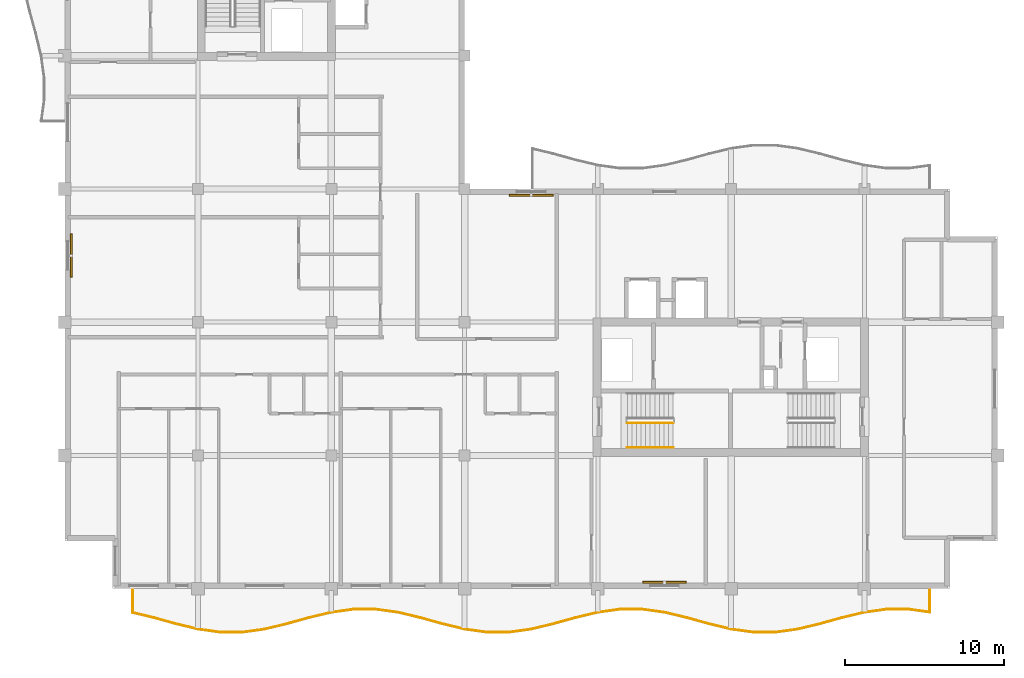
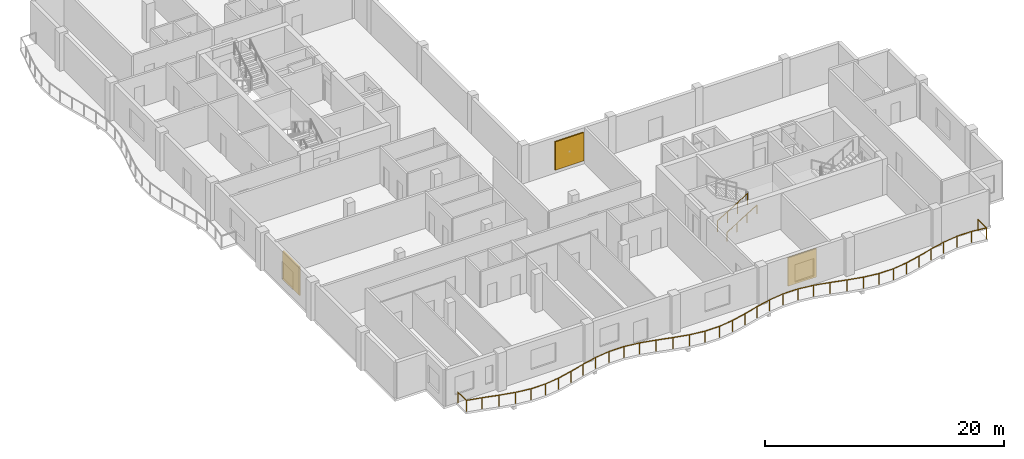
# One storey, part 10 of 12: 3 railings, 3 shading devices.
"""IFC4 building model written with IfcOpenShell, lengths in metres."""

import ifcopenshell
import ifcopenshell.guid

model = None  # the IFC model being written
_history = None  # IfcOwnerHistory: only IFC2X3 demands one
_inside = {}  # id of a spatial element -> (the spatial element, [elements in it])
_under = {}  # id of a project, library or spatial element -> (it, [spatial elements below it])
_declared = {}  # id of a project -> (the project, [libraries it declares])
_typed = {}  # id of a type object -> (the type object, [elements of that type])
_made_of = {}  # id of a material, layer set ... -> (it, [elements and type objects made of it])


def new_model(schema):
    """Start an empty IFC model of exactly this schema.

    Asked for "IFC4X3", IfcOpenShell would pick the latest addendum, in which some entities
    have other attributes; the version numbers below select the first issue.
    IFC2X3 requires an IfcOwnerHistory on every rooted entity: one is made here for all.
    """
    global model, _history
    if schema == "IFC4X3":
        model = ifcopenshell.file(schema_version=(4, 3, 0, 0))
    else:
        model = ifcopenshell.file(schema=schema)
    _inside.clear()
    _under.clear()
    _declared.clear()
    _typed.clear()
    _made_of.clear()
    _history = None
    if model.schema == "IFC2X3":
        org = make("IfcOrganization", Name="unknown")
        user = make(
            "IfcPersonAndOrganization",
            ThePerson=make("IfcPerson", FamilyName="unknown"),
            TheOrganization=org,
        )
        app = make(
            "IfcApplication",
            ApplicationDeveloper=org,
            Version="unknown",
            ApplicationFullName="unknown",
            ApplicationIdentifier="unknown",
        )
        _history = make(
            "IfcOwnerHistory",
            OwningUser=user,
            OwningApplication=app,
            ChangeAction="ADDED",
            CreationDate=0,
        )
    return model


def make(cls, **values):
    """One entity of the class cls with the attributes given. An attribute that is None is left unset."""
    return model.create_entity(
        cls, **{name: value for name, value in values.items() if value is not None}
    )


def rooted(cls, **values):
    """An entity with a GlobalId (a new one), such as an element, a storey or a relation."""
    return make(cls, GlobalId=ifcopenshell.guid.new(), OwnerHistory=_history, **values)


def si_unit(unit_type, name, prefix=None):
    """IfcSIUnit, for example si_unit("LENGTHUNIT", "METRE", prefix="MILLI")."""
    return make("IfcSIUnit", UnitType=unit_type, Prefix=prefix, Name=name)


def assignment(units):
    """IfcUnitAssignment: the units of a project."""
    return None if units is None else make("IfcUnitAssignment", Units=units)


def point(xyz):
    """IfcCartesianPoint."""
    return None if xyz is None else make("IfcCartesianPoint", Coordinates=xyz)


def direction(xyz):
    """IfcDirection."""
    return None if xyz is None else make("IfcDirection", DirectionRatios=xyz)


def frame(location, z_axis=None, x_axis=None):
    """IfcAxis2Placement3D, a coordinate frame: its origin and axes. An axis left out is left unset."""
    return make(
        "IfcAxis2Placement3D",
        Location=point(location),
        Axis=direction(z_axis),
        RefDirection=direction(x_axis),
    )


def frame_2d(location, x_axis=None):
    """IfcAxis2Placement2D, a coordinate frame in the plane: its origin and x axis."""
    return make(
        "IfcAxis2Placement2D", Location=point(location), RefDirection=direction(x_axis)
    )


def origin():
    """The frame at (0, 0, 0) with its axes left unset."""
    return frame((0.0, 0.0, 0.0))


def origin_2d():
    """The frame at (0, 0) in the plane with its x axis left unset."""
    return frame_2d((0.0, 0.0))


def place(relative_to, where):
    """IfcLocalPlacement: puts the frame where relative to a parent placement (None: the world)."""
    return make(
        "IfcLocalPlacement", PlacementRelTo=relative_to, RelativePlacement=where
    )


def context(
    kind, dimensions, precision=None, world=None, true_north=None, identifier=None
):
    """IfcGeometricRepresentationContext, for example the 3D "Model" context."""
    return make(
        "IfcGeometricRepresentationContext",
        ContextIdentifier=identifier,
        ContextType=kind,
        CoordinateSpaceDimension=dimensions,
        Precision=precision,
        WorldCoordinateSystem=world,
        TrueNorth=true_north,
    )


def subcontext(parent, identifier, kind, view, scale=None):
    """IfcGeometricRepresentationSubContext, for example "Body" below "Model"."""
    return make(
        "IfcGeometricRepresentationSubContext",
        ContextIdentifier=identifier,
        ContextType=kind,
        ParentContext=parent,
        TargetScale=scale,
        TargetView=view,
    )


def project(units=None, contexts=None):
    """IfcProject with its units and contexts."""
    return rooted(
        "IfcProject",
        Name="project",
        RepresentationContexts=contexts,
        UnitsInContext=assignment(units),
    )


def spatial(cls, under=None, at=None, **own):
    """A site, building, storey or space (cls), placed at a placement, below another one or the project."""
    s = rooted(cls, ObjectPlacement=at, **own)
    if under is not None:
        _under.setdefault(under.id(), (under, []))[1].append(s)
    return s


def profile(cls, at=None, kind="AREA", **sizes):
    """A parametric profile (cls). Its sizes go by their IFC names, for example OverallWidth=200.0."""
    return make(cls, ProfileType=kind, Position=at, **sizes)


def rectangle(**sizes):
    """IfcRectangleProfileDef."""
    return profile("IfcRectangleProfileDef", **sizes)


def circle(**sizes):
    """IfcCircleProfileDef."""
    return profile("IfcCircleProfileDef", **sizes)


def extrude(swept, where, along, depth):
    """IfcExtrudedAreaSolid: the profile swept, set in the frame where, extruded along a direction by depth."""
    return make(
        "IfcExtrudedAreaSolid",
        SweptArea=swept,
        Position=where,
        ExtrudedDirection=direction(along),
        Depth=depth,
    )


def shape(context_of_items, identifier, shape_type, items):
    """IfcShapeRepresentation: the items that make up one representation, for example the "Body"."""
    return make(
        "IfcShapeRepresentation",
        ContextOfItems=context_of_items,
        RepresentationIdentifier=identifier,
        RepresentationType=shape_type,
        Items=items,
    )


def material(Name=None, Category=None):
    """IfcMaterial."""
    return make("IfcMaterial", Name=Name, Category=Category)


def layer(
    of_material, thickness, ventilated=None, Name=None, Category=None, Priority=None
):
    """IfcMaterialLayer: one layer of a wall or slab, of a material (None: an air gap)."""
    return make(
        "IfcMaterialLayer",
        Material=of_material,
        LayerThickness=thickness,
        IsVentilated=ventilated,
        Name=Name,
        Category=Category,
        Priority=Priority,
    )


def layer_set(layers, Name=None):
    """IfcMaterialLayerSet."""
    return make("IfcMaterialLayerSet", MaterialLayers=layers, LayerSetName=Name)


def made_of(thing, what):
    """Note that an element or type object is made of a material, layer set ...; save() writes the relation."""
    if what is not None:
        _made_of.setdefault(what.id(), (what, []))[1].append(thing)
    return thing


def type_object(cls, material=None, **own):
    """A type object (cls), such as IfcWallType, which elements share."""
    return made_of(rooted(cls, **own), material)


def element(
    cls,
    number,
    at=None,
    inside=None,
    cuts=None,
    type_object=None,
    material=None,
    context=None,
    identifier="Body",
    shape_type=None,
    held_by="IfcProductDefinitionShape",
    body=None,
    shapes=None,
    **own,
):
    """One element of the class cls, such as IfcWall. Its Tag is "e" and its number.

    at: its placement. inside: the storey or other place that contains it. cuts: it is an
    opening in that element (IfcRelVoidsElement). A single representation is given by context,
    identifier, shape_type and body (its items); several are given by shapes. held_by: the class
    of the entity that holds the representations. save() writes the other relations.
    """
    e = rooted(cls, Tag="e%d" % number, ObjectPlacement=at, **own)
    if body is not None:
        shapes = [shape(context, identifier, shape_type, body)]
    if shapes is not None:
        e.Representation = make(held_by, Representations=shapes)
    if inside is not None:
        _inside.setdefault(inside.id(), (inside, []))[1].append(e)
    if cuts is not None:
        rooted(
            "IfcRelVoidsElement", RelatingBuildingElement=cuts, RelatedOpeningElement=e
        )
    if type_object is not None:
        _typed.setdefault(type_object.id(), (type_object, []))[1].append(e)
    return made_of(e, material)


def aggregate(whole, parts):
    """IfcRelAggregates: a whole, such as a stair, and the parts it consists of."""
    return rooted("IfcRelAggregates", RelatingObject=whole, RelatedObjects=parts)


def save(model, path):
    """Write the relations noted so far, then the file.

    IfcRelAggregates (storeys below a building ...), IfcRelContainedInSpatialStructure (elements
    in a storey), IfcRelDefinesByType, IfcRelAssociatesMaterial and IfcRelDeclares: one each for
    every whole, place, type object, material and project.
    """
    for whole, parts in _under.values():
        aggregate(whole, parts)
    for where, things in _inside.values():
        rooted(
            "IfcRelContainedInSpatialStructure",
            RelatedElements=things,
            RelatingStructure=where,
        )
    for kind, things in _typed.values():
        rooted("IfcRelDefinesByType", RelatedObjects=things, RelatingType=kind)
    for what, things in _made_of.values():
        rooted("IfcRelAssociatesMaterial", RelatedObjects=things, RelatingMaterial=what)
    for by, libraries in _declared.values():
        rooted("IfcRelDeclares", RelatingContext=by, RelatedDefinitions=libraries)
    model.write(path)


model = new_model("IFC4")

# Units and contexts
model_context = context("Model", 3, precision=1e-05, world=origin(), true_north=direction((0.0, 1.0)))
body_context = subcontext(model_context, "Body", "Model", "MODEL_VIEW")
ifc_project = project(units=[si_unit("LENGTHUNIT", "METRE"), si_unit("AREAUNIT", "SQUARE_METRE"), si_unit("VOLUMEUNIT", "CUBIC_METRE"), si_unit("PLANEANGLEUNIT", "RADIAN"), si_unit("MASSUNIT", "GRAM", prefix="KILO")], contexts=[model_context])

# Site, building, storey
site_placement = place(None, origin())
site = spatial("IfcSite", under=ifc_project, at=site_placement, CompositionType="ELEMENT")
building_placement = place(site_placement, origin())
building = spatial("IfcBuilding", under=site, at=building_placement, Name="Koriwani Terraces Tower", CompositionType="ELEMENT")
storey_placement = place(building_placement, frame((0.0, 0.0, 328.10009765625)))
storey = spatial("IfcBuildingStorey", under=building, at=storey_placement, Name="L81", CompositionType="ELEMENT", Elevation=328.10009765625)

# Railings
ifc_material_1 = material(Name="Steel ASTM A572 Grade 50", Category="steel")
railing_type_1 = type_object("IfcRailingType", Name="GUARD_BALUSTRADE_1150", PredefinedType="BALUSTRADE", material=ifc_material_1)
railing_1_placement = place(storey_placement, frame((12.679931640625, 8.320068359375, 0.0)))
element("IfcRailing", 1, at=railing_1_placement, inside=storey, type_object=railing_type_1, Name="L81 Balcony Perimeter Safety Balustrade (S)", PredefinedType="BALUSTRADE", context=body_context, shape_type="SweptSolid", body=[
    extrude(circle(Radius=0.02392578125, at=origin_2d()), frame((0.0, 0.0, 1.1259765625), z_axis=(0.0, -1.0, 0.0), x_axis=(1.0, 0.0, 0.0)), (0.0, 0.0, 1.0), 1.4267578125),
    extrude(circle(Radius=0.02392578125, at=origin_2d()), frame((0.0, -1.4267578125, 1.1259765625), z_axis=(0.972361568172, -0.233480150638, 0.0), x_axis=(0.233480150638, 0.972361568172, 0.0)), (0.0, 0.0, 1.0), 1.378173828125),
    extrude(circle(Radius=0.02392578125, at=origin_2d()), frame((1.340087890625, -1.74853515625, 1.1259765625), z_axis=(0.963638196753, -0.267210452187, 0.0), x_axis=(0.267210452187, 0.963638196753, 0.0)), (0.0, 0.0, 1.0), 1.45263671875),
    extrude(circle(Radius=0.02392578125, at=origin_2d()), frame((2.739990234375, -2.13671875, 1.1259765625), z_axis=(0.972362581689, -0.23347592966, 0.0), x_axis=(0.23347592966, 0.972362581689, 0.0)), (0.0, 0.0, 1.0), 1.4345703125),
    extrude(circle(Radius=0.02392578125, at=origin_2d()), frame((4.135009765625, -2.4716796875, 1.1259765625), z_axis=(0.990518583157, -0.137378806302, 0.0), x_axis=(0.137378806302, 0.990518583157, 0.0)), (0.0, 0.0, 1.0), 1.404052734375),
    extrude(circle(Radius=0.02392578125, at=origin_2d()), frame((5.525634765625, -2.66455078125, 1.1259765625), z_axis=(1.0, 0.0, 0.0), x_axis=(0.0, 1.0, 0.0)), (0.0, 0.0, 1.0), 1.388916015625),
    extrude(circle(Radius=0.02392578125, at=origin_2d()), frame((6.91455078125, -2.66455078125, 1.1259765625), z_axis=(0.990518583157, 0.137378806302, 0.0), x_axis=(-0.137378806302, 0.990518583157, 0.0)), (0.0, 0.0, 1.0), 1.404052734375),
    extrude(circle(Radius=0.02392578125, at=origin_2d()), frame((8.30517578125, -2.4716796875, 1.1259765625), z_axis=(0.972353303141, 0.233514568862, 0.0), x_axis=(-0.233514568862, 0.972353303141, 0.0)), (0.0, 0.0, 1.0), 1.434326171875),
    extrude(circle(Radius=0.02392578125, at=origin_2d()), frame((9.699951171875, -2.13671875, 1.1259765625), z_axis=(0.963650193341, 0.26716718525, 0.0), x_axis=(-0.26716718525, 0.963650193341, 0.0)), (0.0, 0.0, 1.0), 1.452880859375),
    extrude(circle(Radius=0.02392578125, at=origin_2d()), frame((11.10009765625, -1.74853515625, 1.1259765625), z_axis=(0.972404167631, 0.233302667738, 0.0), x_axis=(-0.233302667738, 0.972404167631, 0.0)), (0.0, 0.0, 1.0), 1.445068359375),
    extrude(circle(Radius=0.02392578125, at=origin_2d()), frame((12.50537109375, -1.411376953125, 1.1259765625), z_axis=(0.990531206111, 0.137287762455, 0.0), x_axis=(-0.137287762455, 0.990531206111, 0.0)), (0.0, 0.0, 1.0), 1.422607421875),
    extrude(circle(Radius=0.02392578125, at=origin_2d()), frame((13.91455078125, -1.216064453125, 1.1259765625), z_axis=(1.0, 0.0, 0.0), x_axis=(0.0, 1.0, 0.0)), (0.0, 0.0, 1.0), 1.4111328125),
    extrude(circle(Radius=0.02392578125, at=origin_2d()), frame((15.32568359375, -1.216064453125, 1.1259765625), z_axis=(0.990531206111, -0.137287762455, 0.0), x_axis=(0.137287762455, 0.990531206111, 0.0)), (0.0, 0.0, 1.0), 1.422607421875),
    extrude(circle(Radius=0.02392578125, at=origin_2d()), frame((16.73486328125, -1.411376953125, 1.1259765625), z_axis=(0.972404167631, -0.233302667738, 0.0), x_axis=(0.233302667738, 0.972404167631, 0.0)), (0.0, 0.0, 1.0), 1.445068359375),
    extrude(circle(Radius=0.02392578125, at=origin_2d()), frame((18.14013671875, -1.74853515625, 1.1259765625), z_axis=(0.963638196753, -0.267210452187, 0.0), x_axis=(0.267210452187, 0.963638196753, 0.0)), (0.0, 0.0, 1.0), 1.45263671875),
    extrude(circle(Radius=0.02392578125, at=origin_2d()), frame((19.5400390625, -2.13671875, 1.1259765625), z_axis=(0.972362581689, -0.23347592966, 0.0), x_axis=(0.23347592966, 0.972362581689, 0.0)), (0.0, 0.0, 1.0), 1.4345703125),
    extrude(circle(Radius=0.02392578125, at=origin_2d()), frame((20.93505859375, -2.4716796875, 1.1259765625), z_axis=(0.990518583157, -0.137378806302, 0.0), x_axis=(0.137378806302, 0.990518583157, 0.0)), (0.0, 0.0, 1.0), 1.404052734375),
    extrude(circle(Radius=0.02392578125, at=origin_2d()), frame((22.32568359375, -2.66455078125, 1.1259765625), z_axis=(1.0, 0.0, 0.0), x_axis=(0.0, 1.0, 0.0)), (0.0, 0.0, 1.0), 1.388916015625),
    extrude(circle(Radius=0.02392578125, at=origin_2d()), frame((23.714599609375, -2.66455078125, 1.1259765625), z_axis=(0.990518583157, 0.137378806302, 0.0), x_axis=(-0.137378806302, 0.990518583157, 0.0)), (0.0, 0.0, 1.0), 1.404052734375),
    extrude(circle(Radius=0.02392578125, at=origin_2d()), frame((25.105224609375, -2.4716796875, 1.1259765625), z_axis=(0.972353303141, 0.233514568862, 0.0), x_axis=(-0.233514568862, 0.972353303141, 0.0)), (0.0, 0.0, 1.0), 1.434326171875),
    extrude(circle(Radius=0.02392578125, at=origin_2d()), frame((26.5, -2.13671875, 1.1259765625), z_axis=(0.963650193341, 0.26716718525, 0.0), x_axis=(-0.26716718525, 0.963650193341, 0.0)), (0.0, 0.0, 1.0), 1.452880859375),
    extrude(circle(Radius=0.02392578125, at=origin_2d()), frame((27.900146484375, -1.74853515625, 1.1259765625), z_axis=(0.972394970075, 0.233340999769, 0.0), x_axis=(-0.233340999769, 0.972394970075, 0.0)), (0.0, 0.0, 1.0), 1.44482421875),
    extrude(circle(Radius=0.02392578125, at=origin_2d()), frame((29.30517578125, -1.411376953125, 1.1259765625), z_axis=(0.990534439774, 0.137264429555, 0.0), x_axis=(-0.137264429555, 0.990534439774, 0.0)), (0.0, 0.0, 1.0), 1.4228515625),
    extrude(circle(Radius=0.02392578125, at=origin_2d()), frame((30.714599609375, -1.216064453125, 1.1259765625), z_axis=(1.0, 0.0, 0.0), x_axis=(0.0, 1.0, 0.0)), (0.0, 0.0, 1.0), 1.410888671875),
    extrude(circle(Radius=0.02392578125, at=origin_2d()), frame((32.12548828125, -1.216064453125, 1.1259765625), z_axis=(0.990534439774, -0.137264429555, 0.0), x_axis=(0.137264429555, 0.990534439774, 0.0)), (0.0, 0.0, 1.0), 1.4228515625),
    extrude(circle(Radius=0.02392578125, at=origin_2d()), frame((33.534912109375, -1.411376953125, 1.1259765625), z_axis=(0.972404167631, -0.233302667738, 0.0), x_axis=(0.233302667738, 0.972404167631, 0.0)), (0.0, 0.0, 1.0), 1.445068359375),
    extrude(circle(Radius=0.02392578125, at=origin_2d()), frame((34.940185546875, -1.74853515625, 1.1259765625), z_axis=(0.963638196753, -0.267210452187, 0.0), x_axis=(0.267210452187, 0.963638196753, 0.0)), (0.0, 0.0, 1.0), 1.45263671875),
    extrude(circle(Radius=0.02392578125, at=origin_2d()), frame((36.340087890625, -2.13671875, 1.1259765625), z_axis=(0.972353303141, -0.233514568862, 0.0), x_axis=(0.233514568862, 0.972353303141, 0.0)), (0.0, 0.0, 1.0), 1.434326171875),
    extrude(circle(Radius=0.02392578125, at=origin_2d()), frame((37.73486328125, -2.4716796875, 1.1259765625), z_axis=(0.990518583157, -0.137378806302, 0.0), x_axis=(0.137378806302, 0.990518583157, 0.0)), (0.0, 0.0, 1.0), 1.404052734375),
    extrude(circle(Radius=0.02392578125, at=origin_2d()), frame((39.12548828125, -2.66455078125, 1.1259765625), z_axis=(1.0, 0.0, 0.0), x_axis=(0.0, 1.0, 0.0)), (0.0, 0.0, 1.0), 1.38916015625),
    extrude(circle(Radius=0.02392578125, at=origin_2d()), frame((40.5146484375, -2.66455078125, 1.1259765625), z_axis=(0.990518583157, 0.137378806302, 0.0), x_axis=(-0.137378806302, 0.990518583157, 0.0)), (0.0, 0.0, 1.0), 1.404052734375),
    extrude(circle(Radius=0.02392578125, at=origin_2d()), frame((41.9052734375, -2.4716796875, 1.1259765625), z_axis=(0.972353303141, 0.233514568862, 0.0), x_axis=(-0.233514568862, 0.972353303141, 0.0)), (0.0, 0.0, 1.0), 1.434326171875),
    extrude(circle(Radius=0.02392578125, at=origin_2d()), frame((43.300048828125, -2.13671875, 1.1259765625), z_axis=(0.963638196753, 0.267210452187, 0.0), x_axis=(-0.267210452187, 0.963638196753, 0.0)), (0.0, 0.0, 1.0), 1.45263671875),
    extrude(circle(Radius=0.02392578125, at=origin_2d()), frame((44.699951171875, -1.74853515625, 1.1259765625), z_axis=(0.972404167631, 0.233302667738, 0.0), x_axis=(-0.233302667738, 0.972404167631, 0.0)), (0.0, 0.0, 1.0), 1.445068359375),
    extrude(circle(Radius=0.02392578125, at=origin_2d()), frame((46.105224609375, -1.411376953125, 1.1259765625), z_axis=(0.990534439774, 0.137264429555, 0.0), x_axis=(-0.137264429555, 0.990534439774, 0.0)), (0.0, 0.0, 1.0), 1.4228515625),
    extrude(circle(Radius=0.02392578125, at=origin_2d()), frame((47.5146484375, -1.216064453125, 1.1259765625), z_axis=(1.0, 0.0, 0.0), x_axis=(0.0, 1.0, 0.0)), (0.0, 0.0, 1.0), 1.410888671875),
    extrude(circle(Radius=0.02392578125, at=origin_2d()), frame((48.925537109375, -1.216064453125, 1.1259765625), z_axis=(0.99056178386, -0.137066963034, 0.0), x_axis=(0.137066963034, 0.99056178386, 0.0)), (0.0, 0.0, 1.0), 1.326904296875),
    extrude(circle(Radius=0.02392578125, at=origin_2d()), frame((50.239990234375, -1.39794921875, 1.1259765625), z_axis=(0.0, 1.0, 0.0), x_axis=(-1.0, 0.0, 0.0)), (0.0, 0.0, 1.0), 1.39794921875),
    extrude(circle(Radius=0.02099609375, at=origin_2d()), origin(), (0.0, 0.0, 1.0), 1.101806640625),
    extrude(circle(Radius=0.02099609375, at=origin_2d()), frame((0.0, -1.4267578125, 0.0)), (0.0, 0.0, 1.0), 1.101806640625),
    extrude(circle(Radius=0.02099609375, at=origin_2d()), frame((1.340087890625, -1.74853515625, 0.0)), (0.0, 0.0, 1.0), 1.101806640625),
    extrude(circle(Radius=0.02099609375, at=origin_2d()), frame((2.739990234375, -2.13671875, 0.0)), (0.0, 0.0, 1.0), 1.101806640625),
    extrude(circle(Radius=0.02099609375, at=origin_2d()), frame((4.135009765625, -2.4716796875, 0.0)), (0.0, 0.0, 1.0), 1.101806640625),
    extrude(circle(Radius=0.02099609375, at=origin_2d()), frame((5.525634765625, -2.66455078125, 0.0)), (0.0, 0.0, 1.0), 1.101806640625),
    extrude(circle(Radius=0.02099609375, at=origin_2d()), frame((6.91455078125, -2.66455078125, 0.0)), (0.0, 0.0, 1.0), 1.101806640625),
    extrude(circle(Radius=0.02099609375, at=origin_2d()), frame((8.30517578125, -2.4716796875, 0.0)), (0.0, 0.0, 1.0), 1.101806640625),
    extrude(circle(Radius=0.02099609375, at=origin_2d()), frame((9.699951171875, -2.13671875, 0.0)), (0.0, 0.0, 1.0), 1.101806640625),
    extrude(circle(Radius=0.02099609375, at=origin_2d()), frame((11.10009765625, -1.74853515625, 0.0)), (0.0, 0.0, 1.0), 1.101806640625),
    extrude(circle(Radius=0.02099609375, at=origin_2d()), frame((12.50537109375, -1.411376953125, 0.0)), (0.0, 0.0, 1.0), 1.101806640625),
    extrude(circle(Radius=0.02099609375, at=origin_2d()), frame((13.91455078125, -1.216064453125, 0.0)), (0.0, 0.0, 1.0), 1.101806640625),
    extrude(circle(Radius=0.02099609375, at=origin_2d()), frame((15.32568359375, -1.216064453125, 0.0)), (0.0, 0.0, 1.0), 1.101806640625),
    extrude(circle(Radius=0.02099609375, at=origin_2d()), frame((16.73486328125, -1.411376953125, 0.0)), (0.0, 0.0, 1.0), 1.101806640625),
    extrude(circle(Radius=0.02099609375, at=origin_2d()), frame((18.14013671875, -1.74853515625, 0.0)), (0.0, 0.0, 1.0), 1.101806640625),
    extrude(circle(Radius=0.02099609375, at=origin_2d()), frame((19.5400390625, -2.13671875, 0.0)), (0.0, 0.0, 1.0), 1.101806640625),
    extrude(circle(Radius=0.02099609375, at=origin_2d()), frame((20.93505859375, -2.4716796875, 0.0)), (0.0, 0.0, 1.0), 1.101806640625),
    extrude(circle(Radius=0.02099609375, at=origin_2d()), frame((22.32568359375, -2.66455078125, 0.0)), (0.0, 0.0, 1.0), 1.101806640625),
    extrude(circle(Radius=0.02099609375, at=origin_2d()), frame((23.714599609375, -2.66455078125, 0.0)), (0.0, 0.0, 1.0), 1.101806640625),
    extrude(circle(Radius=0.02099609375, at=origin_2d()), frame((25.105224609375, -2.4716796875, 0.0)), (0.0, 0.0, 1.0), 1.101806640625),
    extrude(circle(Radius=0.02099609375, at=origin_2d()), frame((26.5, -2.13671875, 0.0)), (0.0, 0.0, 1.0), 1.101806640625),
    extrude(circle(Radius=0.02099609375, at=origin_2d()), frame((27.900146484375, -1.74853515625, 0.0)), (0.0, 0.0, 1.0), 1.101806640625),
    extrude(circle(Radius=0.02099609375, at=origin_2d()), frame((29.30517578125, -1.411376953125, 0.0)), (0.0, 0.0, 1.0), 1.101806640625),
    extrude(circle(Radius=0.02099609375, at=origin_2d()), frame((30.714599609375, -1.216064453125, 0.0)), (0.0, 0.0, 1.0), 1.101806640625),
    extrude(circle(Radius=0.02099609375, at=origin_2d()), frame((32.12548828125, -1.216064453125, 0.0)), (0.0, 0.0, 1.0), 1.101806640625),
    extrude(circle(Radius=0.02099609375, at=origin_2d()), frame((33.534912109375, -1.411376953125, 0.0)), (0.0, 0.0, 1.0), 1.101806640625),
    extrude(circle(Radius=0.02099609375, at=origin_2d()), frame((34.940185546875, -1.74853515625, 0.0)), (0.0, 0.0, 1.0), 1.101806640625),
    extrude(circle(Radius=0.02099609375, at=origin_2d()), frame((36.340087890625, -2.13671875, 0.0)), (0.0, 0.0, 1.0), 1.101806640625),
    extrude(circle(Radius=0.02099609375, at=origin_2d()), frame((37.73486328125, -2.4716796875, 0.0)), (0.0, 0.0, 1.0), 1.101806640625),
    extrude(circle(Radius=0.02099609375, at=origin_2d()), frame((39.12548828125, -2.66455078125, 0.0)), (0.0, 0.0, 1.0), 1.101806640625),
    extrude(circle(Radius=0.02099609375, at=origin_2d()), frame((40.5146484375, -2.66455078125, 0.0)), (0.0, 0.0, 1.0), 1.101806640625),
    extrude(circle(Radius=0.02099609375, at=origin_2d()), frame((41.9052734375, -2.4716796875, 0.0)), (0.0, 0.0, 1.0), 1.101806640625),
    extrude(circle(Radius=0.02099609375, at=origin_2d()), frame((43.300048828125, -2.13671875, 0.0)), (0.0, 0.0, 1.0), 1.101806640625),
    extrude(circle(Radius=0.02099609375, at=origin_2d()), frame((44.699951171875, -1.74853515625, 0.0)), (0.0, 0.0, 1.0), 1.101806640625),
    extrude(circle(Radius=0.02099609375, at=origin_2d()), frame((46.105224609375, -1.411376953125, 0.0)), (0.0, 0.0, 1.0), 1.101806640625),
    extrude(circle(Radius=0.02099609375, at=origin_2d()), frame((47.5146484375, -1.216064453125, 0.0)), (0.0, 0.0, 1.0), 1.101806640625),
    extrude(circle(Radius=0.02099609375, at=origin_2d()), frame((48.925537109375, -1.216064453125, 0.0)), (0.0, 0.0, 1.0), 1.101806640625),
    extrude(circle(Radius=0.02099609375, at=origin_2d()), frame((50.239990234375, -1.39794921875, 0.0)), (0.0, 0.0, 1.0), 1.101806640625),
    extrude(circle(Radius=0.02099609375, at=origin_2d()), frame((50.239990234375, 0.0, 0.0)), (0.0, 0.0, 1.0), 1.101806640625),
])
railing_type_2 = type_object("IfcRailingType", Name="GUARD_STAIR_WELL_1120", PredefinedType="GUARDRAIL", material=ifc_material_1)
railing_2_placement = place(storey_placement, frame((43.85009765625, 18.85009765625, 0.17724609375)))
element("IfcRailing", 2, at=railing_2_placement, inside=storey, type_object=railing_type_2, Name="L81 ST-E1 stair guard 1", PredefinedType="GUARDRAIL", context=body_context, shape_type="SweptSolid", body=[
    extrude(circle(Radius=0.02392578125, at=origin_2d()), frame((0.0, 0.0, 1.1259765625), z_axis=(0.853210801645, 0.0, 0.521566225858), x_axis=(0.0, 1.0, 0.0)), (0.0, 0.0, 1.0), 3.39892578125),
    extrude(circle(Radius=0.02099609375, at=origin_2d()), origin(), (0.0, 0.0, 1.0), 1.101806640625),
    extrude(circle(Radius=0.02099609375, at=origin_2d()), frame((0.966552734375, 0.0, 0.5908203125)), (0.0, 0.0, 1.0), 1.101806640625),
    extrude(circle(Radius=0.02099609375, at=origin_2d()), frame((1.933349609375, 0.0, 1.181884765625)), (0.0, 0.0, 1.0), 1.101806640625),
    extrude(circle(Radius=0.02099609375, at=origin_2d()), frame((2.89990234375, 0.0, 1.772705078125)), (0.0, 0.0, 1.0), 1.101806640625),
])
railing_type_3 = type_object("IfcRailingType", Name="HANDRAIL_STAIR_920", PredefinedType="HANDRAIL", material=ifc_material_1)
railing_3_placement = place(storey_placement, frame((43.85009765625, 17.300048828125, 0.17724609375)))
element("IfcRailing", 3, at=railing_3_placement, inside=storey, type_object=railing_type_3, Name="L81 ST-E1 stair handrail 1", PredefinedType="HANDRAIL", context=body_context, shape_type="SweptSolid", body=[
    extrude(circle(Radius=0.02392578125, at=origin_2d()), frame((0.0, 0.0, 0.8759765625), z_axis=(0.853210801645, 0.0, 0.521566225858), x_axis=(0.0, 1.0, 0.0)), (0.0, 0.0, 1.0), 3.39892578125),
    extrude(circle(Radius=0.02099609375, at=origin_2d()), origin(), (0.0, 0.0, 1.0), 0.851806640625),
    extrude(circle(Radius=0.02099609375, at=origin_2d()), frame((0.966552734375, 0.0, 0.5908203125)), (0.0, 0.0, 1.0), 0.851806640625),
    extrude(circle(Radius=0.02099609375, at=origin_2d()), frame((1.933349609375, 0.0, 1.181884765625)), (0.0, 0.0, 1.0), 0.851806640625),
    extrude(circle(Radius=0.02099609375, at=origin_2d()), frame((2.89990234375, 0.0, 1.772705078125)), (0.0, 0.0, 1.0), 0.851806640625),
])

# Shading devices
ifc_material_2 = material(Name="Extruded Terracotta Clay", Category="masonry")
ifc_layer = layer(ifc_material_2, 0.1201171875, Name="Extruded Terracotta Clay")
ifc_layer_set = layer_set([ifc_layer], Name="Extruded Terracotta Clay")
shading_device_type = type_object("IfcShadingDeviceType", Name="TERRACOTTA_BAGUETTE_SCREEN_2800", PredefinedType="USERDEFINED", material=ifc_layer_set)
for number, where, z_axis, x_axis, name in (
    (4, (8.804931640625, 29.39990234375, 0.385009765625), (0.0, 0.0, 1.0), (0.0, 1.0, 0.0), "L81 Extruded Terracotta Baguette Screen (W-6)"),
    (5, (37.800048828125, 33.195068359375, 0.385009765625), (0.0, 0.0, 1.0), (1.0, 0.0, 0.0), "L81 Extruded Terracotta Baguette Screen (NE-2)"),
    (6, (46.199951171875, 8.804931640625, 0.385009765625), (0.0, 0.0, 1.0), (-1.0, 0.0, 0.0), "L81 Extruded Terracotta Baguette Screen (S-12)"),
):
    element("IfcShadingDevice", number, at=place(storey_placement, frame(where, z_axis=z_axis, x_axis=x_axis)), inside=storey, type_object=shading_device_type, Name=name, ObjectType="BAGUETTE", PredefinedType="USERDEFINED", context=body_context, shape_type="SweptSolid", body=[
        extrude(rectangle(XDim=2.760009765625, YDim=0.1201171875, at=origin_2d()), origin(), (0.0, 0.0, 1.0), 2.89990234375),
    ])

save(model, "model.ifc")
